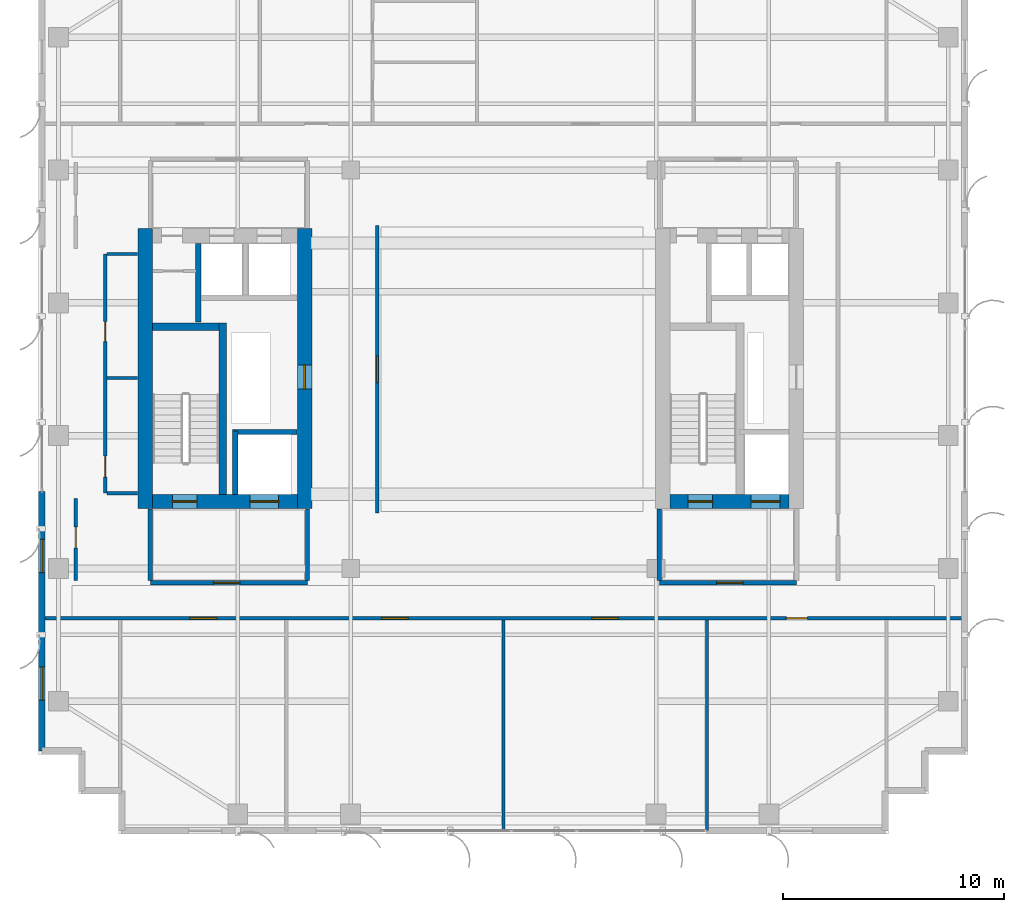
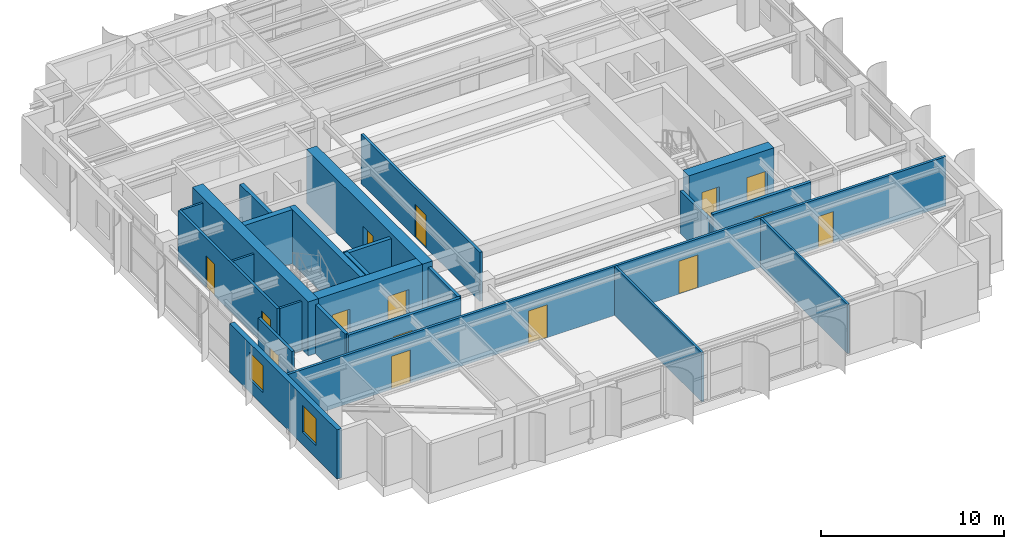
# One storey, part 19 of 25: 24 walls, 15 doors, 2 windows, 17 openings.
"""IFC4 building model written with IfcOpenShell, lengths in metres."""

from ifc_helpers import new_model, si_unit, direction, frame, frame_2d, origin, place, context, subcontext, project, spatial, rectangle, extrude, source, transform, mapped, material, layer, layer_set, type_object, element, fill, save


model = new_model("IFC4")

# Units and contexts
model_context = context("Model", 3, precision=1e-05, world=origin(), true_north=direction((0.0, 1.0)))
body_context = subcontext(model_context, "Body", "Model", "MODEL_VIEW")
ifc_project = project(units=[si_unit("LENGTHUNIT", "METRE"), si_unit("AREAUNIT", "SQUARE_METRE"), si_unit("VOLUMEUNIT", "CUBIC_METRE"), si_unit("PLANEANGLEUNIT", "RADIAN"), si_unit("MASSUNIT", "GRAM", prefix="KILO")], contexts=[model_context])

# Site, building, storey
site_placement = place(None, origin())
site = spatial("IfcSite", under=ifc_project, at=site_placement, CompositionType="ELEMENT")
building_placement = place(site_placement, origin())
building = spatial("IfcBuilding", under=site, at=building_placement, Name="Khoralis Quay Care Tower", CompositionType="ELEMENT")
storey_placement = place(building_placement, frame((0.0, 0.0, 216.89990234375)))
storey = spatial("IfcBuildingStorey", under=building, at=storey_placement, Name="L57", CompositionType="ELEMENT", Elevation=216.89990234375)

# Wall, opening, door
ifc_material_1 = material(Name="Gypsum plasterboard on acoustic metal stud")
ifc_layer_1 = layer(ifc_material_1, 0.199951171875)
ifc_layer_set_1 = layer_set([ifc_layer_1], Name="Gypsum plasterboard on acoustic metal stud")
wall_type_1 = type_object("IfcWallType", Name="WL-COMP-200", PredefinedType="PARTITIONING", material=ifc_layer_set_1)
wall_1_placement = place(storey_placement, frame((8.050048828125, 11.35009765625, 0.0), z_axis=(0.0, 0.0, 1.0), x_axis=(1.0, 0.0, 0.0)))
wall_1 = element("IfcWall", 1, at=wall_1_placement, inside=storey, type_object=wall_type_1, Name="L57 West Firefighting Lobby South Wall", PredefinedType="PARTITIONING", context=body_context, shape_type="SweptSolid", body=[
    extrude(rectangle(XDim=7.099853515625, YDim=0.199951171875, at=frame_2d((3.5498046875, 0.0))), origin(), (0.0, 0.0, 1.0), 3.280029296875),
])
opening_1_placement = place(wall_1_placement, frame((2.846435546875, 0.0, 0.0)))
opening_1 = element("IfcOpeningElement", 2, at=opening_1_placement, cuts=wall_1, Name="Opening FD1", PredefinedType="OPENING", context=body_context, shape_type="SweptSolid", body=[
    extrude(rectangle(XDim=1.199951171875, YDim=2.199951171875, at=frame_2d((0.60009765625, 1.10009765625))), frame((0.0, 0.10986328125, 0.0), z_axis=(0.0, -1.0, 0.0), x_axis=(1.0, 0.0, 0.0)), (0.0, 0.0, 1.0), 0.219970703125),
])
ifc_material_2 = material(Name="Fire-rated painted steel", Category="steel")
door_type_1 = type_object("IfcDoorType", Name="DR-FFL-1200X2200", OperationType="NOTDEFINED", PredefinedType="DOOR", material=ifc_material_2)
shared_shape_1 = source(origin(), body_context, "Body", "SweptSolid", [
    extrude(rectangle(XDim=1.199951171875, YDim=2.199951171875, at=frame_2d((0.60009765625, 1.10009765625))), frame((0.0, 0.02490234375, 0.0), z_axis=(0.0, -1.0, 0.0), x_axis=(1.0, 0.0, 0.0)), (0.0, 0.0, 1.0), 0.050048828125),
])
door_1_placement = place(opening_1_placement, origin())
door_1 = element("IfcDoor", 3, at=door_1_placement, inside=storey, type_object=door_type_1, Name="L57 West Firefighting Lobby Fire Door", OperationType="SINGLE_SWING_LEFT", OverallHeight=2.199951171875, OverallWidth=1.199951171875, PredefinedType="DOOR", context=body_context, shape_type="MappedRepresentation", body=[
    mapped(shared_shape_1, transform((0.0, 0.0, 0.0), scale=1.0)),
])
fill(opening_1, door_1)

# Walls
for number, where, z_axis, x_axis, name in (
    (4, (8.050048828125, 11.445068359375, 0.0), (0.0, 0.0, 1.0), (0.0, 1.0, 0.0), "L57 West Firefighting Lobby West Wall"),
    (5, (15.14990234375, 11.445068359375, 0.0), (0.0, 0.0, 1.0), (0.0, 1.0, 0.0), "L57 West Firefighting Lobby East Wall"),
):
    element("IfcWall", number, at=place(storey_placement, frame(where, z_axis=z_axis, x_axis=x_axis)), inside=storey, type_object=wall_type_1, Name=name, PredefinedType="PARTITIONING", context=body_context, shape_type="SweptSolid", body=[
        extrude(rectangle(XDim=3.23486328125, YDim=0.199951171875, at=frame_2d((1.617431640625, 0.0))), origin(), (0.0, 0.0, 1.0), 3.280029296875),
    ])

# Wall, opening, door
wall_2_placement = place(storey_placement, frame((31.050048828125, 11.35009765625, 0.0), z_axis=(0.0, 0.0, 1.0), x_axis=(1.0, 0.0, 0.0)))
wall_2 = element("IfcWall", 6, at=wall_2_placement, inside=storey, type_object=wall_type_1, Name="L57 East Firefighting Lobby South Wall", PredefinedType="PARTITIONING", context=body_context, shape_type="SweptSolid", body=[
    extrude(rectangle(XDim=6.199951171875, YDim=0.199951171875, at=frame_2d((3.10009765625, 0.0))), origin(), (0.0, 0.0, 1.0), 3.280029296875),
])
opening_2_placement = place(wall_2_placement, frame((2.585693359375, 0.0, 0.0)))
opening_2 = element("IfcOpeningElement", 7, at=opening_2_placement, cuts=wall_2, Name="Opening FD1", PredefinedType="OPENING", context=body_context, shape_type="SweptSolid", body=[
    extrude(rectangle(XDim=1.199951171875, YDim=2.199951171875, at=frame_2d((0.60009765625, 1.10009765625))), frame((0.0, 0.10986328125, 0.0), z_axis=(0.0, -1.0, 0.0), x_axis=(1.0, 0.0, 0.0)), (0.0, 0.0, 1.0), 0.219970703125),
])
door_2_placement = place(opening_2_placement, origin())
door_2 = element("IfcDoor", 8, at=door_2_placement, inside=storey, type_object=door_type_1, Name="L57 East Firefighting Lobby Fire Door", OperationType="SINGLE_SWING_RIGHT", OverallHeight=2.199951171875, OverallWidth=1.199951171875, PredefinedType="DOOR", context=body_context, shape_type="MappedRepresentation", body=[
    mapped(shared_shape_1, transform((0.0, 0.0, 0.0), scale=1.0)),
])
fill(opening_2, door_2)

# Walls
wall_3_placement = place(storey_placement, frame((31.050048828125, 11.445068359375, 0.0), z_axis=(0.0, 0.0, 1.0), x_axis=(0.0, 1.0, 0.0)))
element("IfcWall", 9, at=wall_3_placement, inside=storey, type_object=wall_type_1, Name="L57 East Firefighting Lobby West Wall", PredefinedType="PARTITIONING", context=body_context, shape_type="SweptSolid", body=[
    extrude(rectangle(XDim=3.23486328125, YDim=0.199951171875, at=frame_2d((1.617431640625, 0.0))), origin(), (0.0, 0.0, 1.0), 2.821044921875),
])
ifc_material_3 = material(Name="Concrete C65/80", Category="concrete")
ifc_layer_2 = layer(ifc_material_3, 0.64990234375)
ifc_layer_set_2 = layer_set([ifc_layer_2], Name="Concrete C65/80")
wall_type_2 = type_object("IfcWallType", Name="WL-CORE-650", PredefinedType="SHEAR", material=ifc_layer_set_2)
wall_4_placement = place(storey_placement, frame((7.824951171875, 14.699951171875, 0.0), z_axis=(0.0, 0.0, 1.0), x_axis=(0.0, 1.0, 0.0)))
element("IfcWall", 10, at=wall_4_placement, inside=storey, type_object=wall_type_2, Name="L57 WCORE West Shear Wall", PredefinedType="SHEAR", context=body_context, shape_type="SweptSolid", body=[
    extrude(rectangle(XDim=12.650146484375, YDim=0.64990234375, at=frame_2d((6.3251953125, 0.0))), origin(), (0.0, 0.0, 1.0), 3.60009765625),
])

# Wall, opening, door
wall_5_placement = place(storey_placement, frame((15.02490234375, 14.699951171875, 0.0), z_axis=(0.0, 0.0, 1.0), x_axis=(0.0, 1.0, 0.0)))
wall_5 = element("IfcWall", 11, at=wall_5_placement, inside=storey, type_object=wall_type_2, Name="L57 WCORE East Shear Wall", PredefinedType="SHEAR", context=body_context, shape_type="SweptSolid", body=[
    extrude(rectangle(XDim=12.650146484375, YDim=0.64990234375, at=frame_2d((6.3251953125, 0.0))), origin(), (0.0, 0.0, 1.0), 3.60009765625),
])
opening_3_placement = place(wall_5_placement, frame((5.39990234375, 0.0, 0.0)))
opening_3 = element("IfcOpeningElement", 12, at=opening_3_placement, cuts=wall_5, Name="Opening SD1", PredefinedType="OPENING", context=body_context, shape_type="SweptSolid", body=[
    extrude(rectangle(XDim=1.10009765625, YDim=2.199951171875, at=frame_2d((0.550048828125, 1.10009765625))), frame((0.0, 0.3349609375, 0.0), z_axis=(0.0, -1.0, 0.0), x_axis=(1.0, 0.0, 0.0)), (0.0, 0.0, 1.0), 0.669921875),
])
door_type_2 = type_object("IfcDoorType", Name="DR-STAIR-1100X2200", OperationType="NOTDEFINED", PredefinedType="DOOR", material=ifc_material_2)
shared_shape_2 = source(origin(), body_context, "Body", "SweptSolid", [
    extrude(rectangle(XDim=1.10009765625, YDim=2.199951171875, at=frame_2d((0.550048828125, 1.10009765625))), frame((0.0, 0.02490234375, 0.0), z_axis=(0.0, -1.0, 0.0), x_axis=(1.0, 0.0, 0.0)), (0.0, 0.0, 1.0), 0.050048828125),
])
door_3_placement = place(opening_3_placement, origin())
door_3 = element("IfcDoor", 13, at=door_3_placement, inside=storey, type_object=door_type_2, Name="L57 West MEP Riser Door", OperationType="SINGLE_SWING_LEFT", OverallHeight=2.199951171875, OverallWidth=1.10009765625, PredefinedType="DOOR", context=body_context, shape_type="MappedRepresentation", body=[
    mapped(shared_shape_2, transform((0.0, 0.0, 0.0), scale=1.0)),
])
fill(opening_3, door_3)

# Wall, openings, doors
wall_6_placement = place(storey_placement, frame((8.14990234375, 15.02490234375, 0.0), z_axis=(0.0, 0.0, 1.0), x_axis=(1.0, 0.0, 0.0)))
wall_6 = element("IfcWall", 14, at=wall_6_placement, inside=storey, type_object=wall_type_2, Name="L57 WCORE South Shear Wall", PredefinedType="SHEAR", context=body_context, shape_type="SweptSolid", body=[
    extrude(rectangle(XDim=6.550048828125, YDim=0.64990234375, at=frame_2d((3.27490234375, 0.0))), origin(), (0.0, 0.0, 1.0), 3.60009765625),
])
opening_4_placement = place(wall_6_placement, frame((0.89990234375, 0.0, 0.0)))
opening_4 = element("IfcOpeningElement", 15, at=opening_4_placement, cuts=wall_6, Name="Opening SD1", PredefinedType="OPENING", context=body_context, shape_type="SweptSolid", body=[
    extrude(rectangle(XDim=1.10009765625, YDim=2.199951171875, at=frame_2d((0.550048828125, 1.10009765625))), frame((0.0, 0.3349609375, 0.0), z_axis=(0.0, -1.0, 0.0), x_axis=(1.0, 0.0, 0.0)), (0.0, 0.0, 1.0), 0.669921875),
])
opening_5_placement = place(wall_6_placement, frame((4.39990234375, 0.0, 0.0)))
opening_5 = element("IfcOpeningElement", 16, at=opening_5_placement, cuts=wall_6, Name="Opening LD2", PredefinedType="OPENING", context=body_context, shape_type="SweptSolid", body=[
    extrude(rectangle(XDim=1.300048828125, YDim=2.199951171875, at=frame_2d((0.64990234375, 1.10009765625))), frame((0.0, 0.3349609375, 0.0), z_axis=(0.0, -1.0, 0.0), x_axis=(1.0, 0.0, 0.0)), (0.0, 0.0, 1.0), 0.669921875),
])
door_4_placement = place(opening_4_placement, origin())
door_4 = element("IfcDoor", 17, at=door_4_placement, inside=storey, type_object=door_type_2, Name="L57 Stair ST-T1 Fire Door", OperationType="SINGLE_SWING_LEFT", OverallHeight=2.199951171875, OverallWidth=1.10009765625, PredefinedType="DOOR", context=body_context, shape_type="MappedRepresentation", body=[
    mapped(shared_shape_2, transform((0.0, 0.0, 0.0), scale=1.0)),
])
fill(opening_4, door_4)
ifc_material_4 = material(Name="Brushed stainless steel", Category="steel")
door_type_3 = type_object("IfcDoorType", Name="DR-LIFT-1300X2200", OperationType="SLIDING_TO_RIGHT", PredefinedType="DOOR", material=ifc_material_4)
shared_shape_3 = source(origin(), body_context, "Body", "SweptSolid", [
    extrude(rectangle(XDim=1.300048828125, YDim=2.199951171875, at=frame_2d((0.64990234375, 1.10009765625))), frame((0.0, 0.02490234375, 0.0), z_axis=(0.0, -1.0, 0.0), x_axis=(1.0, 0.0, 0.0)), (0.0, 0.0, 1.0), 0.050048828125),
])
door_5_placement = place(opening_5_placement, origin())
door_5 = element("IfcDoor", 18, at=door_5_placement, inside=storey, type_object=door_type_3, Name="L57 Firefighting Lift FFL-1 Landing Door", OperationType="SLIDING_TO_RIGHT", OverallHeight=2.199951171875, OverallWidth=1.300048828125, PredefinedType="DOOR", context=body_context, shape_type="MappedRepresentation", body=[
    mapped(shared_shape_3, transform((0.0, 0.0, 0.0), scale=1.0)),
])
fill(opening_5, door_5)

wall_7_placement = place(storey_placement, frame((31.52001953125, 15.02490234375, 0.0), z_axis=(0.0, 0.0, 1.0), x_axis=(1.0, 0.0, 0.0)))
wall_7 = element("IfcWall", 19, at=wall_7_placement, inside=storey, type_object=wall_type_2, Name="L57 ECORE South Shear Wall", PredefinedType="SHEAR", context=body_context, shape_type="SweptSolid", body=[
    extrude(rectangle(XDim=5.3798828125, YDim=0.64990234375, at=frame_2d((2.68994140625, 0.0))), origin(), (0.0, 0.0, 1.0), 3.60009765625),
])
opening_6_placement = place(wall_7_placement, frame((0.830078125, 0.0, 0.0)))
opening_6 = element("IfcOpeningElement", 20, at=opening_6_placement, cuts=wall_7, Name="Opening SD1", PredefinedType="OPENING", context=body_context, shape_type="SweptSolid", body=[
    extrude(rectangle(XDim=1.10009765625, YDim=2.199951171875, at=frame_2d((0.550048828125, 1.10009765625))), frame((0.0, 0.3349609375, 0.0), z_axis=(0.0, -1.0, 0.0), x_axis=(1.0, 0.0, 0.0)), (0.0, 0.0, 1.0), 0.669921875),
])
opening_7_placement = place(wall_7_placement, frame((3.679931640625, 0.0, 0.0)))
opening_7 = element("IfcOpeningElement", 21, at=opening_7_placement, cuts=wall_7, Name="Opening LD2", PredefinedType="OPENING", context=body_context, shape_type="SweptSolid", body=[
    extrude(rectangle(XDim=1.300048828125, YDim=2.199951171875, at=frame_2d((0.64990234375, 1.10009765625))), frame((0.0, 0.3349609375, 0.0), z_axis=(0.0, -1.0, 0.0), x_axis=(1.0, 0.0, 0.0)), (0.0, 0.0, 1.0), 0.669921875),
])
door_6_placement = place(opening_6_placement, origin())
door_6 = element("IfcDoor", 22, at=door_6_placement, inside=storey, type_object=door_type_2, Name="L57 Stair ST-T2 Fire Door", OperationType="SINGLE_SWING_RIGHT", OverallHeight=2.199951171875, OverallWidth=1.10009765625, PredefinedType="DOOR", context=body_context, shape_type="MappedRepresentation", body=[
    mapped(shared_shape_2, transform((0.0, 0.0, 0.0), scale=1.0)),
])
fill(opening_6, door_6)
door_7_placement = place(opening_7_placement, origin())
door_7 = element("IfcDoor", 23, at=door_7_placement, inside=storey, type_object=door_type_3, Name="L57 Firefighting Lift FFL-2 Landing Door", OperationType="SLIDING_TO_RIGHT", OverallHeight=2.199951171875, OverallWidth=1.300048828125, PredefinedType="DOOR", context=body_context, shape_type="MappedRepresentation", body=[
    mapped(shared_shape_3, transform((0.0, 0.0, 0.0), scale=1.0)),
])
fill(opening_7, door_7)

ifc_layer_3 = layer(ifc_material_1, 0.1650390625)
ifc_layer_set_3 = layer_set([ifc_layer_3], Name="Gypsum plasterboard on acoustic metal stud")
wall_type_3 = type_object("IfcWallType", Name="WL-CORR-165", PredefinedType="PARTITIONING", material=ifc_layer_set_3)
wall_8_placement = place(storey_placement, frame((6.02001953125, 15.39990234375, 0.0), z_axis=(0.0, 0.0, 1.0), x_axis=(0.0, 1.0, 0.0)))
wall_8 = element("IfcWall", 24, at=wall_8_placement, inside=storey, type_object=wall_type_3, Name="L57 West Core Service Flank Wall", PredefinedType="PARTITIONING", context=body_context, shape_type="SweptSolid", body=[
    extrude(rectangle(XDim=10.800048828125, YDim=0.1650390625, at=frame_2d((5.39990234375, 0.0))), origin(), (0.0, 0.0, 1.0), 3.280029296875),
])
opening_8_placement = place(wall_8_placement, frame((0.72509765625, 0.0, 0.0)))
opening_8 = element("IfcOpeningElement", 25, at=opening_8_placement, cuts=wall_8, Name="Opening ID1", PredefinedType="OPENING", context=body_context, shape_type="SweptSolid", body=[
    extrude(rectangle(XDim=0.949951171875, YDim=2.10009765625, at=frame_2d((0.47509765625, 1.050048828125))), frame((0.0, 0.092529296875, 0.0), z_axis=(0.0, -1.0, 0.0), x_axis=(1.0, 0.0, 0.0)), (0.0, 0.0, 1.0), 0.18505859375),
])
opening_9_placement = place(wall_8_placement, frame((6.85009765625, 0.0, 0.0)))
opening_9 = element("IfcOpeningElement", 26, at=opening_9_placement, cuts=wall_8, Name="Opening WD1", PredefinedType="OPENING", context=body_context, shape_type="SweptSolid", body=[
    extrude(rectangle(XDim=0.89990234375, YDim=2.10009765625, at=frame_2d((0.449951171875, 1.050048828125))), frame((0.0, 0.092529296875, 0.0), z_axis=(0.0, -1.0, 0.0), x_axis=(1.0, 0.0, 0.0)), (0.0, 0.0, 1.0), 0.18505859375),
])
ifc_material_5 = material(Name="Acoustic hardwood timber", Category="wood")
door_type_4 = type_object("IfcDoorType", Name="DR-BATH-900X2100", OperationType="NOTDEFINED", PredefinedType="DOOR", material=ifc_material_5)
shared_shape_4 = source(origin(), body_context, "Body", "SweptSolid", [
    extrude(rectangle(XDim=0.89990234375, YDim=2.10009765625, at=frame_2d((0.449951171875, 1.050048828125))), frame((0.0, 0.02490234375, 0.0), z_axis=(0.0, -1.0, 0.0), x_axis=(1.0, 0.0, 0.0)), (0.0, 0.0, 1.0), 0.050048828125),
])
door_8_placement = place(opening_9_placement, frame((0.89990234375, 0.0, 0.0), z_axis=(0.0, 0.0, 1.0), x_axis=(-1.0, 0.0, 0.0)))
door_8 = element("IfcDoor", 27, at=door_8_placement, inside=storey, type_object=door_type_4, Name="L57 Public Accessible WC Door", OperationType="SINGLE_SWING_LEFT", OverallHeight=2.10009765625, OverallWidth=0.89990234375, PredefinedType="DOOR", context=body_context, shape_type="MappedRepresentation", body=[
    mapped(shared_shape_4, transform((0.0, 0.0, 0.0), scale=1.0)),
])
fill(opening_9, door_8)
door_type_5 = type_object("IfcDoorType", Name="DR-ROOM-950X2100", OperationType="NOTDEFINED", PredefinedType="DOOR", material=ifc_material_5)
shared_shape_5 = source(origin(), body_context, "Body", "SweptSolid", [
    extrude(rectangle(XDim=0.949951171875, YDim=2.10009765625, at=frame_2d((0.47509765625, 1.050048828125))), frame((0.0, 0.02490234375, 0.0), z_axis=(0.0, -1.0, 0.0), x_axis=(1.0, 0.0, 0.0)), (0.0, 0.0, 1.0), 0.050048828125),
])
door_9_placement = place(opening_8_placement, frame((0.949951171875, 0.0, 0.0), z_axis=(0.0, 0.0, 1.0), x_axis=(-1.0, 0.0, 0.0)))
door_9 = element("IfcDoor", 28, at=door_9_placement, inside=storey, type_object=door_type_5, Name="L57 Housekeeping Linen Store Door", OperationType="SINGLE_SWING_RIGHT", OverallHeight=2.10009765625, OverallWidth=0.949951171875, PredefinedType="DOOR", context=body_context, shape_type="MappedRepresentation", body=[
    mapped(shared_shape_5, transform((0.0, 0.0, 0.0), scale=1.0)),
])
fill(opening_8, door_9)

wall_9_placement = place(storey_placement, frame((3.14501953125, 9.75, 0.0), z_axis=(0.0, 0.0, 1.0), x_axis=(1.0, 0.0, 0.0)))
wall_9 = element("IfcWall", 29, at=wall_9_placement, inside=storey, type_object=wall_type_3, Name="L57 South Gallery Wall", PredefinedType="PARTITIONING", context=body_context, shape_type="SweptSolid", body=[
    extrude(rectangle(XDim=41.7099609375, YDim=0.1650390625, at=frame_2d((20.85498046875, 0.0))), origin(), (0.0, 0.0, 1.0), 3.280029296875),
])
opening_10_placement = place(wall_9_placement, frame((6.695068359375, 0.0, 0.0)))
opening_10 = element("IfcOpeningElement", 30, at=opening_10_placement, cuts=wall_9, Name="Opening FD1", PredefinedType="OPENING", context=body_context, shape_type="SweptSolid", body=[
    extrude(rectangle(XDim=1.199951171875, YDim=2.199951171875, at=frame_2d((0.60009765625, 1.10009765625))), frame((0.0, 0.092529296875, 0.0), z_axis=(0.0, -1.0, 0.0), x_axis=(1.0, 0.0, 0.0)), (0.0, 0.0, 1.0), 0.18505859375),
])
opening_11_placement = place(wall_9_placement, frame((15.35498046875, 0.0, 0.0)))
opening_11 = element("IfcOpeningElement", 31, at=opening_11_placement, cuts=wall_9, Name="Opening FD1", PredefinedType="OPENING", context=body_context, shape_type="SweptSolid", body=[
    extrude(rectangle(XDim=1.199951171875, YDim=2.199951171875, at=frame_2d((0.60009765625, 1.10009765625))), frame((0.0, 0.092529296875, 0.0), z_axis=(0.0, -1.0, 0.0), x_axis=(1.0, 0.0, 0.0)), (0.0, 0.0, 1.0), 0.18505859375),
])
opening_12_placement = place(wall_9_placement, frame((24.85498046875, 0.0, 0.0)))
opening_12 = element("IfcOpeningElement", 32, at=opening_12_placement, cuts=wall_9, Name="Opening FD1", PredefinedType="OPENING", context=body_context, shape_type="SweptSolid", body=[
    extrude(rectangle(XDim=1.199951171875, YDim=2.199951171875, at=frame_2d((0.60009765625, 1.10009765625))), frame((0.0, 0.092529296875, 0.0), z_axis=(0.0, -1.0, 0.0), x_axis=(1.0, 0.0, 0.0)), (0.0, 0.0, 1.0), 0.18505859375),
])
opening_13_placement = place(wall_9_placement, frame((33.639892578125, 0.0, 0.0)))
opening_13 = element("IfcOpeningElement", 33, at=opening_13_placement, cuts=wall_9, Name="Opening ID1", PredefinedType="OPENING", context=body_context, shape_type="SweptSolid", body=[
    extrude(rectangle(XDim=0.949951171875, YDim=2.10009765625, at=frame_2d((0.47509765625, 1.050048828125))), frame((0.0, 0.092529296875, 0.0), z_axis=(0.0, -1.0, 0.0), x_axis=(1.0, 0.0, 0.0)), (0.0, 0.0, 1.0), 0.18505859375),
])
door_10_placement = place(opening_10_placement, frame((1.199951171875, 0.0, 0.0), z_axis=(0.0, 0.0, 1.0), x_axis=(-1.0, 0.0, 0.0)))
door_10 = element("IfcDoor", 34, at=door_10_placement, inside=storey, type_object=door_type_1, Name="L57 Assisted Communal Dining Room Door", OperationType="DOUBLE_DOOR_SINGLE_SWING", OverallHeight=2.199951171875, OverallWidth=1.199951171875, PredefinedType="DOOR", context=body_context, shape_type="MappedRepresentation", body=[
    mapped(shared_shape_1, transform((0.0, 0.0, 0.0), scale=1.0)),
])
fill(opening_10, door_10)
door_11_placement = place(opening_11_placement, frame((1.199951171875, 0.0, 0.0), z_axis=(0.0, 0.0, 1.0), x_axis=(-1.0, 0.0, 0.0)))
door_11 = element("IfcDoor", 35, at=door_11_placement, inside=storey, type_object=door_type_1, Name="L57 Resident Communal Day Lounge Door", OperationType="DOUBLE_DOOR_SINGLE_SWING", OverallHeight=2.199951171875, OverallWidth=1.199951171875, PredefinedType="DOOR", context=body_context, shape_type="MappedRepresentation", body=[
    mapped(shared_shape_1, transform((0.0, 0.0, 0.0), scale=1.0)),
])
fill(opening_11, door_11)
door_12_placement = place(opening_12_placement, frame((1.199951171875, 0.0, 0.0), z_axis=(0.0, 0.0, 1.0), x_axis=(-1.0, 0.0, 0.0)))
door_12 = element("IfcDoor", 36, at=door_12_placement, inside=storey, type_object=door_type_1, Name="L57 Senior Wellness Pharmacy Shop Door", OperationType="DOUBLE_DOOR_SINGLE_SWING", OverallHeight=2.199951171875, OverallWidth=1.199951171875, PredefinedType="DOOR", context=body_context, shape_type="MappedRepresentation", body=[
    mapped(shared_shape_1, transform((0.0, 0.0, 0.0), scale=1.0)),
])
fill(opening_12, door_12)
door_13_placement = place(opening_13_placement, frame((0.949951171875, 0.0, 0.0), z_axis=(0.0, 0.0, 1.0), x_axis=(-1.0, 0.0, 0.0)))
door_13 = element("IfcDoor", 37, at=door_13_placement, inside=storey, type_object=door_type_5, Name="L57 Family Case Conference Room Door", OperationType="SINGLE_SWING_LEFT", OverallHeight=2.10009765625, OverallWidth=0.949951171875, PredefinedType="DOOR", context=body_context, shape_type="MappedRepresentation", body=[
    mapped(shared_shape_5, transform((0.0, 0.0, 0.0), scale=1.0)),
])
fill(opening_13, door_13)

# Wall, opening, door
wall_10_placement = place(storey_placement, frame((4.679931640625, 11.449951171875, 0.0), z_axis=(0.0, 0.0, 1.0), x_axis=(0.0, 1.0, 0.0)))
wall_10 = element("IfcWall", 38, at=wall_10_placement, inside=storey, type_object=wall_type_3, Name="L57 West Sky Lounge South Wall", PredefinedType="PARTITIONING", context=body_context, shape_type="SweptSolid", body=[
    extrude(rectangle(XDim=3.699951171875, YDim=0.1650390625, at=frame_2d((1.85009765625, 0.0))), origin(), (0.0, 0.0, 1.0), 3.280029296875),
])
opening_14_placement = place(wall_10_placement, frame((1.47509765625, 0.0, 0.0)))
opening_14 = element("IfcOpeningElement", 39, at=opening_14_placement, cuts=wall_10, Name="Opening ID1", PredefinedType="OPENING", context=body_context, shape_type="SweptSolid", body=[
    extrude(rectangle(XDim=0.949951171875, YDim=2.10009765625, at=frame_2d((0.47509765625, 1.050048828125))), frame((0.0, 0.092529296875, 0.0), z_axis=(0.0, -1.0, 0.0), x_axis=(1.0, 0.0, 0.0)), (0.0, 0.0, 1.0), 0.18505859375),
])
door_14_placement = place(opening_14_placement, frame((0.949951171875, 0.0, 0.0), z_axis=(0.0, 0.0, 1.0), x_axis=(-1.0, 0.0, 0.0)))
door_14 = element("IfcDoor", 40, at=door_14_placement, inside=storey, type_object=door_type_5, Name="L57 West Sky Lounge Door", OperationType="SINGLE_SWING_LEFT", OverallHeight=2.10009765625, OverallWidth=0.949951171875, PredefinedType="DOOR", context=body_context, shape_type="MappedRepresentation", body=[
    mapped(shared_shape_5, transform((0.0, 0.0, 0.0), scale=1.0)),
])
fill(opening_14, door_14)

wall_11_placement = place(storey_placement, frame((18.300048828125, 14.5, 0.0), z_axis=(0.0, 0.0, 1.0), x_axis=(0.0, 1.0, 0.0)))
wall_11 = element("IfcWall", 41, at=wall_11_placement, inside=storey, type_object=wall_type_3, Name="L57 Sky Lounge Central Wall", PredefinedType="PARTITIONING", context=body_context, shape_type="SweptSolid", body=[
    extrude(rectangle(XDim=13.0, YDim=0.1650390625, at=frame_2d((6.5, 0.0))), origin(), (0.0, 0.0, 1.0), 3.280029296875),
])
opening_15_placement = place(wall_11_placement, frame((5.89990234375, 0.0, 0.0)))
opening_15 = element("IfcOpeningElement", 42, at=opening_15_placement, cuts=wall_11, Name="Opening FD1", PredefinedType="OPENING", context=body_context, shape_type="SweptSolid", body=[
    extrude(rectangle(XDim=1.199951171875, YDim=2.199951171875, at=frame_2d((0.60009765625, 1.10009765625))), frame((0.0, 0.092529296875, 0.0), z_axis=(0.0, -1.0, 0.0), x_axis=(1.0, 0.0, 0.0)), (0.0, 0.0, 1.0), 0.18505859375),
])
door_15_placement = place(opening_15_placement, origin())
door_15 = element("IfcDoor", 43, at=door_15_placement, inside=storey, type_object=door_type_1, Name="L57 Sky Dining Door", OperationType="DOUBLE_DOOR_SINGLE_SWING", OverallHeight=2.199951171875, OverallWidth=1.199951171875, PredefinedType="DOOR", context=body_context, shape_type="MappedRepresentation", body=[
    mapped(shared_shape_1, transform((0.0, 0.0, 0.0), scale=1.0)),
])
fill(opening_15, door_15)

# Wall, openings, windows
ifc_material_6 = material(Name="Precast concrete C45/55", Category="concrete")
ifc_layer_4 = layer(ifc_material_6, 0.300048828125)
ifc_layer_set_4 = layer_set([ifc_layer_4], Name="Precast concrete C45/55")
wall_type_4 = type_object("IfcWallType", Name="WL-EXT-REF-300", PredefinedType="SOLIDWALL", material=ifc_layer_set_4)
wall_12_placement = place(storey_placement, frame((3.14990234375, 15.47998046875, 0.0), z_axis=(0.0, 0.0, 1.0), x_axis=(0.0, -1.0, 0.0)))
wall_12 = element("IfcWall", 44, at=wall_12_placement, inside=storey, type_object=wall_type_4, Name="L57 External Facade Wall WL-EXT-L57-P1-E15B", PredefinedType="SOLIDWALL", context=body_context, shape_type="SweptSolid", body=[
    extrude(rectangle(XDim=11.72998046875, YDim=0.300048828125, at=frame_2d((5.864990234375, 0.0))), origin(), (0.0, 0.0, 1.0), 3.280029296875),
])
opening_16_placement = place(wall_12_placement, frame((2.1650390625, 0.0, 0.85009765625)))
opening_16 = element("IfcOpeningElement", 45, at=opening_16_placement, cuts=wall_12, Name="Opening W3", PredefinedType="OPENING", context=body_context, shape_type="SweptSolid", body=[
    extrude(rectangle(XDim=1.5, YDim=1.800048828125, at=frame_2d((0.75, 0.89990234375))), frame((0.0, 0.16015625, 0.0), z_axis=(0.0, -1.0, 0.0), x_axis=(1.0, 0.0, 0.0)), (0.0, 0.0, 1.0), 0.320068359375),
])
opening_17_placement = place(wall_12_placement, frame((7.929931640625, 0.0, 0.85009765625)))
opening_17 = element("IfcOpeningElement", 46, at=opening_17_placement, cuts=wall_12, Name="Opening W3", PredefinedType="OPENING", context=body_context, shape_type="SweptSolid", body=[
    extrude(rectangle(XDim=1.5, YDim=1.800048828125, at=frame_2d((0.75, 0.89990234375))), frame((0.0, 0.16015625, 0.0), z_axis=(0.0, -1.0, 0.0), x_axis=(1.0, 0.0, 0.0)), (0.0, 0.0, 1.0), 0.320068359375),
])
ifc_material_7 = material(Name="Low-E solar-control double glazing", Category="glass")
window_type = type_object("IfcWindowType", Name="WN-CLIN-1500X1800", PartitioningType="SINGLE_PANEL", PredefinedType="WINDOW", material=ifc_material_7)
shared_shape_6 = source(origin(), body_context, "Body", "SweptSolid", [
    extrude(rectangle(XDim=1.5, YDim=1.800048828125, at=frame_2d((0.75, 0.89990234375))), frame((0.0, 0.030029296875, 0.0), z_axis=(0.0, -1.0, 0.0), x_axis=(1.0, 0.0, 0.0)), (0.0, 0.0, 1.0), 0.06005859375),
])
window_1_placement = place(opening_16_placement, origin())
window_1 = element("IfcWindow", 47, at=window_1_placement, inside=storey, type_object=window_type, Name="WN-L57-P1-E15B Facade Window 01", OverallHeight=1.800048828125, OverallWidth=1.5, PartitioningType="SINGLE_PANEL", PredefinedType="WINDOW", context=body_context, shape_type="MappedRepresentation", body=[
    mapped(shared_shape_6, transform((0.0, 0.0, 0.0), scale=1.0)),
])
fill(opening_16, window_1)
window_2_placement = place(opening_17_placement, origin())
window_2 = element("IfcWindow", 48, at=window_2_placement, inside=storey, type_object=window_type, Name="WN-L57-P1-E15B Facade Window 02", OverallHeight=1.800048828125, OverallWidth=1.5, PartitioningType="SINGLE_PANEL", PredefinedType="WINDOW", context=body_context, shape_type="MappedRepresentation", body=[
    mapped(shared_shape_6, transform((0.0, 0.0, 0.0), scale=1.0)),
])
fill(opening_17, window_2)

# Walls
ifc_material_8 = material(Name="Moisture-resistant gypsum and ceramic tile")
ifc_layer_5 = layer(ifc_material_8, 0.280029296875)
ifc_layer_set_5 = layer_set([ifc_layer_5], Name="Moisture-resistant gypsum and ceramic tile")
wall_type_5 = type_object("IfcWallType", Name="WL-PLUMB-280", PredefinedType="PLUMBINGWALL", material=ifc_layer_set_5)
wall_13_placement = place(storey_placement, frame((6.097412109375, 20.60009765625, 0.0), z_axis=(0.0, 0.0, 1.0), x_axis=(1.0, 0.0, 0.0)))
element("IfcWall", 49, at=wall_13_placement, inside=storey, type_object=wall_type_5, Name="L57 West Flank Divider 1", PredefinedType="PLUMBINGWALL", context=body_context, shape_type="SweptSolid", body=[
    extrude(rectangle(XDim=1.362548828125, YDim=0.139892578125, at=frame_2d((0.68115234375, 0.0))), origin(), (0.0, 0.0, 1.0), 3.280029296875),
])
ifc_material_9 = material(Name="Concrete C40/50", Category="concrete")
ifc_layer_6 = layer(ifc_material_9, 0.35009765625)
ifc_layer_set_6 = layer_set([ifc_layer_6], Name="Concrete C40/50")
wall_type_6 = type_object("IfcWallType", Name="WL-SC-CORE-350", PredefinedType="SHEAR", material=ifc_layer_set_6)
wall_14_placement = place(storey_placement, frame((11.324951171875, 15.35009765625, 0.0), z_axis=(0.0, 0.0, 1.0), x_axis=(0.0, 1.0, 0.0)))
element("IfcWall", 50, at=wall_14_placement, inside=storey, type_object=wall_type_6, Name="L57 Stair ST-T1 Shear Baffle Wall East", PredefinedType="SHEAR", context=body_context, shape_type="SweptSolid", body=[
    extrude(rectangle(XDim=7.75, YDim=0.35009765625, at=frame_2d((3.875, 0.0))), origin(), (0.0, 0.0, 1.0), 3.60009765625),
])
wall_15_placement = place(storey_placement, frame((8.14990234375, 22.925048828125, 0.0), z_axis=(0.0, 0.0, 1.0), x_axis=(1.0, 0.0, 0.0)))
element("IfcWall", 51, at=wall_15_placement, inside=storey, type_object=wall_type_6, Name="L57 Stair ST-T1 Shear Baffle Wall North", PredefinedType="SHEAR", context=body_context, shape_type="SweptSolid", body=[
    extrude(rectangle(XDim=3.0, YDim=0.35009765625, at=frame_2d((1.5, 0.0))), origin(), (0.0, 0.0, 1.0), 3.60009765625),
])
ifc_layer_7 = layer(ifc_material_1, 0.239990234375)
ifc_layer_set_7 = layer_set([ifc_layer_7], Name="Gypsum plasterboard on acoustic metal stud")
wall_type_7 = type_object("IfcWallType", Name="WL-SHAFT-240", PredefinedType="PARTITIONING", material=ifc_layer_set_7)
wall_16_placement = place(storey_placement, frame((11.8798828125, 15.35009765625, 0.0), z_axis=(0.0, 0.0, 1.0), x_axis=(0.0, 1.0, 0.0)))
element("IfcWall", 52, at=wall_16_placement, inside=storey, type_object=wall_type_7, Name="L57 FFL-1 Shaft Wall West", PredefinedType="PARTITIONING", context=body_context, shape_type="SweptSolid", body=[
    extrude(rectangle(XDim=2.849853515625, YDim=0.239990234375, at=frame_2d((1.4248046875, 0.0))), origin(), (0.0, 0.0, 1.0), 3.280029296875),
])
wall_17_placement = place(storey_placement, frame((11.760009765625, 18.169921875, 0.0), z_axis=(0.0, 0.0, 1.0), x_axis=(1.0, 0.0, 0.0)))
element("IfcWall", 53, at=wall_17_placement, inside=storey, type_object=wall_type_7, Name="L57 FFL-1 Shaft Wall North", PredefinedType="PARTITIONING", context=body_context, shape_type="SweptSolid", body=[
    extrude(rectangle(XDim=2.919921875, YDim=0.239990234375, at=frame_2d((1.4599609375, 0.0))), origin(), (0.0, 0.0, 1.0), 3.280029296875),
])
wall_18_placement = place(storey_placement, frame((10.219970703125, 23.139892578125, 0.0), z_axis=(0.0, 0.0, 1.0), x_axis=(0.0, 1.0, 0.0)))
element("IfcWall", 54, at=wall_18_placement, inside=storey, type_object=wall_type_7, Name="L57 Reclaimed Bay Divider West", PredefinedType="PARTITIONING", context=body_context, shape_type="SweptSolid", body=[
    extrude(rectangle(XDim=3.5400390625, YDim=0.239990234375, at=frame_2d((1.77001953125, 0.0))), origin(), (0.0, 0.0, 1.0), 3.280029296875),
])
ifc_layer_8 = layer(ifc_material_1, 0.139892578125)
ifc_layer_set_8 = layer_set([ifc_layer_8], Name="Gypsum plasterboard on acoustic metal stud")
wall_type_8 = type_object("IfcWallType", Name="WL-UNIT-140", PredefinedType="PARTITIONING", material=ifc_layer_set_8)
for number, where, z_axis, x_axis, name in (
    (55, (6.097412109375, 15.39990234375, 0.0), (0.0, 0.0, 1.0), (1.0, 0.0, 0.0), "L57 West Flank South Cap"),
    (56, (6.097412109375, 26.199951171875, 0.0), (0.0, 0.0, 1.0), (1.0, 0.0, 0.0), "L57 West Flank North Cap"),
):
    element("IfcWall", number, at=place(storey_placement, frame(where, z_axis=z_axis, x_axis=x_axis)), inside=storey, type_object=wall_type_8, Name=name, PredefinedType="PARTITIONING", context=body_context, shape_type="SweptSolid", body=[
        extrude(rectangle(XDim=1.362548828125, YDim=0.139892578125, at=frame_2d((0.68115234375, 0.0))), origin(), (0.0, 0.0, 1.0), 3.280029296875),
    ])
for number, where, z_axis, x_axis, name in (
    (57, (24.0, 0.14501953125, 0.0), (0.0, 0.0, 1.0), (0.0, 1.0, 0.0), "L57 SB Demising Wall 2"),
    (58, (33.199951171875, 0.14501953125, 0.0), (0.0, 0.0, 1.0), (0.0, 1.0, 0.0), "L57 SB Demising Wall 3"),
):
    element("IfcWall", number, at=place(storey_placement, frame(where, z_axis=z_axis, x_axis=x_axis)), inside=storey, type_object=wall_type_8, Name=name, PredefinedType="PARTITIONING", context=body_context, shape_type="SweptSolid", body=[
        extrude(rectangle(XDim=9.527587890625, YDim=0.139892578125, at=frame_2d((4.763671875, 0.0))), origin(), (0.0, 0.0, 1.0), 3.280029296875),
    ])

save(model, "model.ifc")
